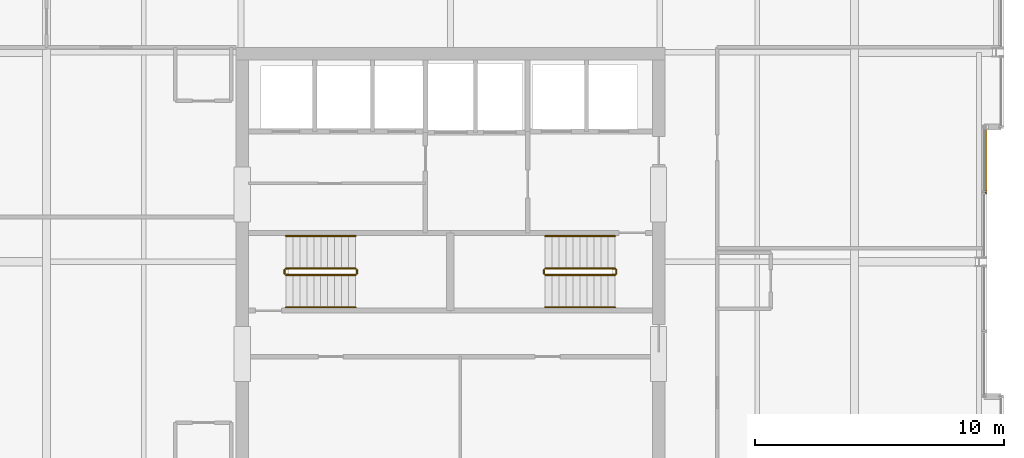
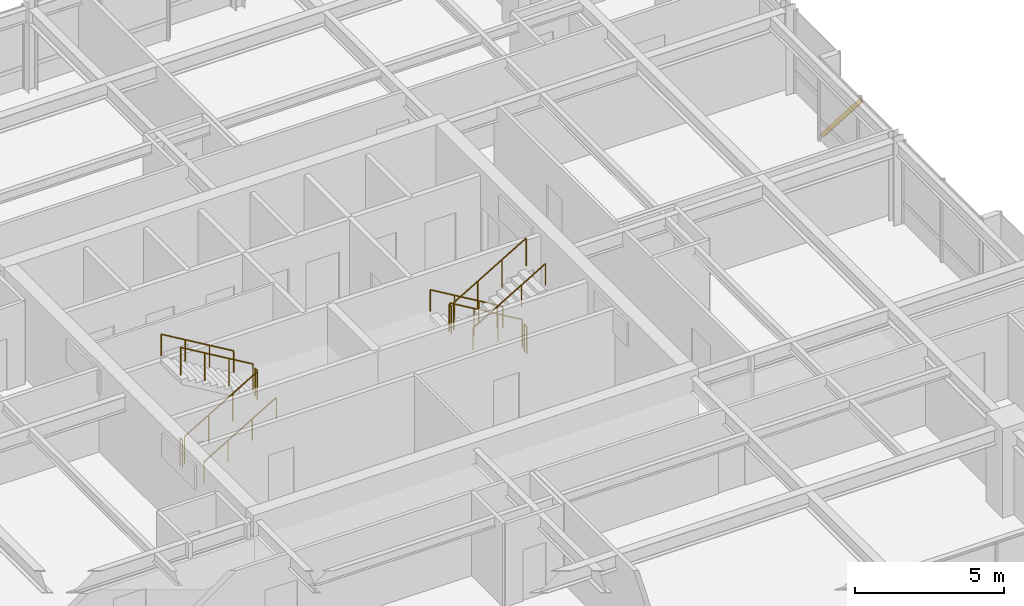
# One storey, part 32 of 33: 12 railings, 1 shading device.
"""IFC4 building model written with IfcOpenShell, lengths in metres."""

from ifc_helpers import new_model, si_unit, direction, frame, origin, origin_2d, place, context, subcontext, project, spatial, hollow_rectangle, circle, extrude, material, material_profile, profile_set, type_object, element, save


model = new_model("IFC4")

# Units and contexts
model_context = context("Model", 3, precision=1e-05, world=origin(), true_north=direction((0.0, 1.0)))
body_context = subcontext(model_context, "Body", "Model", "MODEL_VIEW")
ifc_project = project(units=[si_unit("LENGTHUNIT", "METRE"), si_unit("AREAUNIT", "SQUARE_METRE"), si_unit("VOLUMEUNIT", "CUBIC_METRE"), si_unit("PLANEANGLEUNIT", "RADIAN"), si_unit("MASSUNIT", "GRAM", prefix="KILO")], contexts=[model_context])

# Site, building, storey
site_placement = place(None, origin())
site = spatial("IfcSite", under=ifc_project, at=site_placement, CompositionType="ELEMENT")
building_placement = place(site_placement, origin())
building = spatial("IfcBuilding", under=site, at=building_placement, Name="Drelvath Grand Hotel", CompositionType="ELEMENT")
storey_placement = place(building_placement, frame((0.0, 0.0, 279.60009765625)))
storey = spatial("IfcBuildingStorey", under=building, at=storey_placement, Name="L73", CompositionType="ELEMENT", Elevation=279.60009765625)

# Railings
ifc_material_1 = material(Name="Painted Steel S275", Category="steel")
railing_type_1 = type_object("IfcRailingType", Name="Core Stair Wall Handrail 900", PredefinedType="HANDRAIL", material=ifc_material_1)
railing_1_placement = place(storey_placement, frame((-6.60009765625, 25.169921875, 0.165771484375)))
element("IfcRailing", 1, at=railing_1_placement, inside=storey, type_object=railing_type_1, Name="L73 ST-1 stair handrail 1", PredefinedType="HANDRAIL", context=body_context, shape_type="SweptSolid", body=[
    extrude(circle(Radius=0.02392578125, at=origin_2d()), frame((0.0, 0.0, 0.8759765625), z_axis=(0.860306154799, 0.0, 0.50977771628), x_axis=(0.0, 1.0, 0.0)), (0.0, 0.0, 1.0), 3.254638671875),
    extrude(circle(Radius=0.02099609375, at=origin_2d()), origin(), (0.0, 0.0, 1.0), 0.851806640625),
    extrude(circle(Radius=0.02099609375, at=origin_2d()), frame((0.933349609375, 0.0, 0.552978515625)), (0.0, 0.0, 1.0), 0.851806640625),
    extrude(circle(Radius=0.02099609375, at=origin_2d()), frame((1.86669921875, 0.0, 1.106201171875)), (0.0, 0.0, 1.0), 0.851806640625),
    extrude(circle(Radius=0.02099609375, at=origin_2d()), frame((2.800048828125, 0.0, 1.6591796875)), (0.0, 0.0, 1.0), 0.851806640625),
])
for number, where, name in (
    (2, (-3.800048828125, 28.030029296875, 1.99072265625), "L73 ST-1 stair handrail 2"),
    (3, (6.60009765625, 28.030029296875, 0.165771484375), "L73 ST-2 stair handrail 1"),
):
    element("IfcRailing", number, at=place(storey_placement, frame(where)), inside=storey, type_object=railing_type_1, Name=name, PredefinedType="HANDRAIL", context=body_context, shape_type="SweptSolid", body=[
        extrude(circle(Radius=0.02392578125, at=origin_2d()), frame((0.0, 0.0, 0.8759765625), z_axis=(-0.860306154799, 0.0, 0.50977771628), x_axis=(0.0, -1.0, 0.0)), (0.0, 0.0, 1.0), 3.254638671875),
        extrude(circle(Radius=0.02099609375, at=origin_2d()), origin(), (0.0, 0.0, 1.0), 0.851806640625),
        extrude(circle(Radius=0.02099609375, at=origin_2d()), frame((-0.933349609375, 0.0, 0.552978515625)), (0.0, 0.0, 1.0), 0.851806640625),
        extrude(circle(Radius=0.02099609375, at=origin_2d()), frame((-1.86669921875, 0.0, 1.106201171875)), (0.0, 0.0, 1.0), 0.851806640625),
        extrude(circle(Radius=0.02099609375, at=origin_2d()), frame((-2.800048828125, 0.0, 1.6591796875)), (0.0, 0.0, 1.0), 0.851806640625),
    ])
railing_2_placement = place(storey_placement, frame((3.800048828125, 25.169921875, 1.99072265625)))
element("IfcRailing", 4, at=railing_2_placement, inside=storey, type_object=railing_type_1, Name="L73 ST-2 stair handrail 2", PredefinedType="HANDRAIL", context=body_context, shape_type="SweptSolid", body=[
    extrude(circle(Radius=0.02392578125, at=origin_2d()), frame((0.0, 0.0, 0.8759765625), z_axis=(0.860306154799, 0.0, 0.50977771628), x_axis=(0.0, 1.0, 0.0)), (0.0, 0.0, 1.0), 3.254638671875),
    extrude(circle(Radius=0.02099609375, at=origin_2d()), origin(), (0.0, 0.0, 1.0), 0.851806640625),
    extrude(circle(Radius=0.02099609375, at=origin_2d()), frame((0.933349609375, 0.0, 0.552978515625)), (0.0, 0.0, 1.0), 0.851806640625),
    extrude(circle(Radius=0.02099609375, at=origin_2d()), frame((1.86669921875, 0.0, 1.106201171875)), (0.0, 0.0, 1.0), 0.851806640625),
    extrude(circle(Radius=0.02099609375, at=origin_2d()), frame((2.800048828125, 0.0, 1.6591796875)), (0.0, 0.0, 1.0), 0.851806640625),
])
railing_type_2 = type_object("IfcRailingType", Name="Core Stair Well Guardrail 1100", PredefinedType="GUARDRAIL", material=ifc_material_1)
railing_3_placement = place(storey_placement, frame((-6.60009765625, 26.469970703125, 0.165771484375)))
element("IfcRailing", 5, at=railing_3_placement, inside=storey, type_object=railing_type_2, Name="L73 ST-1 stair guard 1", PredefinedType="GUARDRAIL", context=body_context, shape_type="SweptSolid", body=[
    extrude(circle(Radius=0.02392578125, at=origin_2d()), frame((0.0, 0.0, 1.1259765625), z_axis=(0.860306154799, 0.0, 0.50977771628), x_axis=(0.0, 1.0, 0.0)), (0.0, 0.0, 1.0), 3.254638671875),
    extrude(circle(Radius=0.02099609375, at=origin_2d()), origin(), (0.0, 0.0, 1.0), 1.101806640625),
    extrude(circle(Radius=0.02099609375, at=origin_2d()), frame((0.933349609375, 0.0, 0.552978515625)), (0.0, 0.0, 1.0), 1.101806640625),
    extrude(circle(Radius=0.02099609375, at=origin_2d()), frame((1.86669921875, 0.0, 1.106201171875)), (0.0, 0.0, 1.0), 1.101806640625),
    extrude(circle(Radius=0.02099609375, at=origin_2d()), frame((2.800048828125, 0.0, 1.6591796875)), (0.0, 0.0, 1.0), 1.101806640625),
])
railing_4_placement = place(storey_placement, frame((-3.75, 26.52001953125, 1.824951171875)))
element("IfcRailing", 6, at=railing_4_placement, inside=storey, type_object=railing_type_2, Name="L73 ST-1 stair guard 2", PredefinedType="GUARDRAIL", context=body_context, shape_type="SweptSolid", body=[
    extrude(circle(Radius=0.02392578125, at=origin_2d()), frame((0.0, 0.0, 1.1259765625), z_axis=(0.0, 1.0, 0.0), x_axis=(-1.0, 0.0, 0.0)), (0.0, 0.0, 1.0), 0.159912109375),
    extrude(circle(Radius=0.02099609375, at=origin_2d()), origin(), (0.0, 0.0, 1.0), 1.101806640625),
    extrude(circle(Radius=0.02099609375, at=origin_2d()), frame((0.0, 0.159912109375, 0.0)), (0.0, 0.0, 1.0), 1.101806640625),
])
railing_5_placement = place(storey_placement, frame((-3.800048828125, 26.72998046875, 1.99072265625)))
element("IfcRailing", 7, at=railing_5_placement, inside=storey, type_object=railing_type_2, Name="L73 ST-1 stair guard 3", PredefinedType="GUARDRAIL", context=body_context, shape_type="SweptSolid", body=[
    extrude(circle(Radius=0.02392578125, at=origin_2d()), frame((0.0, 0.0, 1.1259765625), z_axis=(-0.860306154799, 0.0, 0.50977771628), x_axis=(0.0, -1.0, 0.0)), (0.0, 0.0, 1.0), 3.254638671875),
    extrude(circle(Radius=0.02099609375, at=origin_2d()), origin(), (0.0, 0.0, 1.0), 1.101806640625),
    extrude(circle(Radius=0.02099609375, at=origin_2d()), frame((-0.933349609375, 0.0, 0.552978515625)), (0.0, 0.0, 1.0), 1.101806640625),
    extrude(circle(Radius=0.02099609375, at=origin_2d()), frame((-1.86669921875, 0.0, 1.106201171875)), (0.0, 0.0, 1.0), 1.101806640625),
    extrude(circle(Radius=0.02099609375, at=origin_2d()), frame((-2.800048828125, 0.0, 1.6591796875)), (0.0, 0.0, 1.0), 1.101806640625),
])
railing_6_placement = place(storey_placement, frame((-6.64990234375, 26.52001953125, 0.0)))
element("IfcRailing", 8, at=railing_6_placement, inside=storey, type_object=railing_type_2, Name="L73 ST-1 stair guard 4", PredefinedType="GUARDRAIL", context=body_context, shape_type="SweptSolid", body=[
    extrude(circle(Radius=0.02392578125, at=origin_2d()), frame((0.0, 0.0, 1.1259765625), z_axis=(0.0, 1.0, 0.0), x_axis=(-1.0, 0.0, 0.0)), (0.0, 0.0, 1.0), 0.159912109375),
    extrude(circle(Radius=0.02099609375, at=origin_2d()), origin(), (0.0, 0.0, 1.0), 1.101806640625),
    extrude(circle(Radius=0.02099609375, at=origin_2d()), frame((0.0, 0.159912109375, 0.0)), (0.0, 0.0, 1.0), 1.101806640625),
])
railing_7_placement = place(storey_placement, frame((6.60009765625, 26.72998046875, 0.165771484375)))
element("IfcRailing", 9, at=railing_7_placement, inside=storey, type_object=railing_type_2, Name="L73 ST-2 stair guard 1", PredefinedType="GUARDRAIL", context=body_context, shape_type="SweptSolid", body=[
    extrude(circle(Radius=0.02392578125, at=origin_2d()), frame((0.0, 0.0, 1.1259765625), z_axis=(-0.860306154799, 0.0, 0.50977771628), x_axis=(0.0, -1.0, 0.0)), (0.0, 0.0, 1.0), 3.254638671875),
    extrude(circle(Radius=0.02099609375, at=origin_2d()), origin(), (0.0, 0.0, 1.0), 1.101806640625),
    extrude(circle(Radius=0.02099609375, at=origin_2d()), frame((-0.933349609375, 0.0, 0.552978515625)), (0.0, 0.0, 1.0), 1.101806640625),
    extrude(circle(Radius=0.02099609375, at=origin_2d()), frame((-1.86669921875, 0.0, 1.106201171875)), (0.0, 0.0, 1.0), 1.101806640625),
    extrude(circle(Radius=0.02099609375, at=origin_2d()), frame((-2.800048828125, 0.0, 1.6591796875)), (0.0, 0.0, 1.0), 1.101806640625),
])
railing_8_placement = place(storey_placement, frame((3.75, 26.679931640625, 1.824951171875)))
element("IfcRailing", 10, at=railing_8_placement, inside=storey, type_object=railing_type_2, Name="L73 ST-2 stair guard 2", PredefinedType="GUARDRAIL", context=body_context, shape_type="SweptSolid", body=[
    extrude(circle(Radius=0.02392578125, at=origin_2d()), frame((0.0, 0.0, 1.1259765625), z_axis=(0.0, -1.0, 0.0), x_axis=(1.0, 0.0, 0.0)), (0.0, 0.0, 1.0), 0.159912109375),
    extrude(circle(Radius=0.02099609375, at=origin_2d()), origin(), (0.0, 0.0, 1.0), 1.101806640625),
    extrude(circle(Radius=0.02099609375, at=origin_2d()), frame((0.0, -0.159912109375, 0.0)), (0.0, 0.0, 1.0), 1.101806640625),
])
railing_9_placement = place(storey_placement, frame((3.800048828125, 26.469970703125, 1.99072265625)))
element("IfcRailing", 11, at=railing_9_placement, inside=storey, type_object=railing_type_2, Name="L73 ST-2 stair guard 3", PredefinedType="GUARDRAIL", context=body_context, shape_type="SweptSolid", body=[
    extrude(circle(Radius=0.02392578125, at=origin_2d()), frame((0.0, 0.0, 1.1259765625), z_axis=(0.860306154799, 0.0, 0.50977771628), x_axis=(0.0, 1.0, 0.0)), (0.0, 0.0, 1.0), 3.254638671875),
    extrude(circle(Radius=0.02099609375, at=origin_2d()), origin(), (0.0, 0.0, 1.0), 1.101806640625),
    extrude(circle(Radius=0.02099609375, at=origin_2d()), frame((0.933349609375, 0.0, 0.552978515625)), (0.0, 0.0, 1.0), 1.101806640625),
    extrude(circle(Radius=0.02099609375, at=origin_2d()), frame((1.86669921875, 0.0, 1.106201171875)), (0.0, 0.0, 1.0), 1.101806640625),
    extrude(circle(Radius=0.02099609375, at=origin_2d()), frame((2.800048828125, 0.0, 1.6591796875)), (0.0, 0.0, 1.0), 1.101806640625),
])
railing_10_placement = place(storey_placement, frame((6.64990234375, 26.679931640625, 0.0)))
element("IfcRailing", 12, at=railing_10_placement, inside=storey, type_object=railing_type_2, Name="L73 ST-2 stair guard 4", PredefinedType="GUARDRAIL", context=body_context, shape_type="SweptSolid", body=[
    extrude(circle(Radius=0.02392578125, at=origin_2d()), frame((0.0, 0.0, 1.1259765625), z_axis=(0.0, -1.0, 0.0), x_axis=(1.0, 0.0, 0.0)), (0.0, 0.0, 1.0), 0.159912109375),
    extrude(circle(Radius=0.02099609375, at=origin_2d()), origin(), (0.0, 0.0, 1.0), 1.101806640625),
    extrude(circle(Radius=0.02099609375, at=origin_2d()), frame((0.0, -0.159912109375, 0.0)), (0.0, 0.0, 1.0), 1.101806640625),
])

# Shading device
ifc_material_2 = material(Name="Platinum-Mist Anodised Aluminium", Category="aluminium")
ifc_material_profile = material_profile(ifc_material_2, hollow_rectangle(XDim=0.06494140625, YDim=0.159912109375, WallThickness=0.00390625, at=origin_2d()), Name="HSS160X65X4")
ifc_profile_set = profile_set([ifc_material_profile], Name="Platinum-Mist Anodised Aluminium")
shading_device_type = type_object("IfcShadingDeviceType", Name="Diagonal Solar Fin Platinum Anodised HSS160X65X4", PredefinedType="USERDEFINED", material=ifc_profile_set)
shading_device_placement = place(storey_placement, frame((21.47998046875, 32.39990234375, 0.179931640625), z_axis=(0.0, -0.653354613196, 0.757052012358), x_axis=(1.0, 0.0, 0.0)))
element("IfcShadingDevice", 13, at=shading_device_placement, inside=storey, type_object=shading_device_type, Name="L73 Diagonal Anodised Fin CW05-L73-EM2", ObjectType="FIN", PredefinedType="USERDEFINED", context=body_context, shape_type="SweptSolid", body=[
    extrude(hollow_rectangle(XDim=0.06494140625, YDim=0.159912109375, WallThickness=0.00390625, at=origin_2d()), origin(), (0.0, 0.0, 1.0), 4.00244140625),
])

save(model, "model.ifc")
